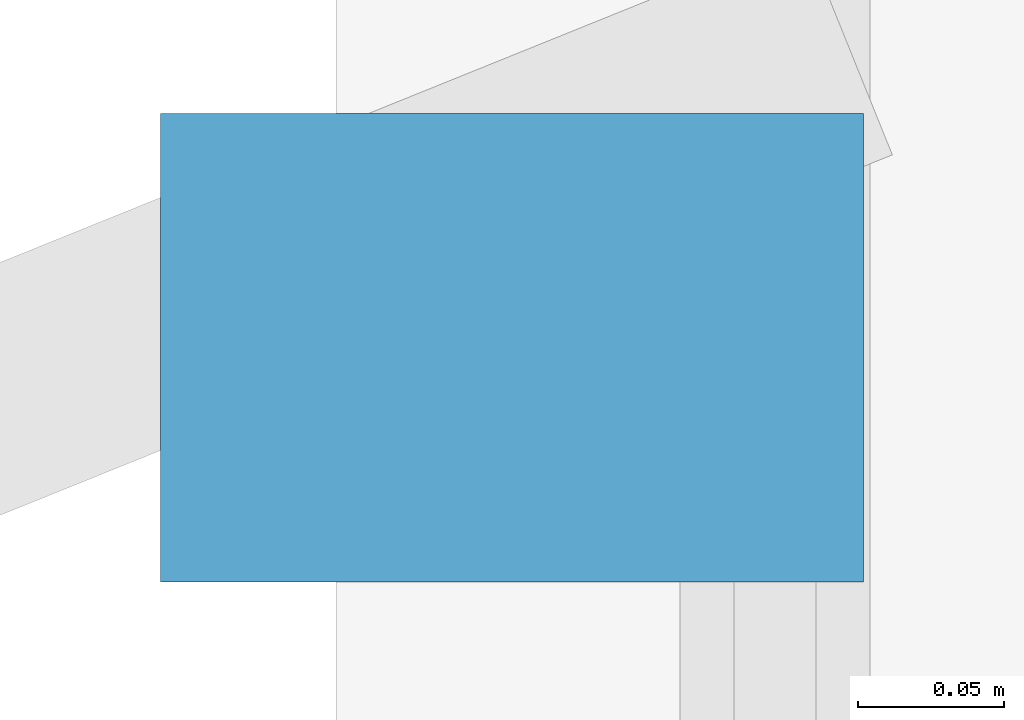
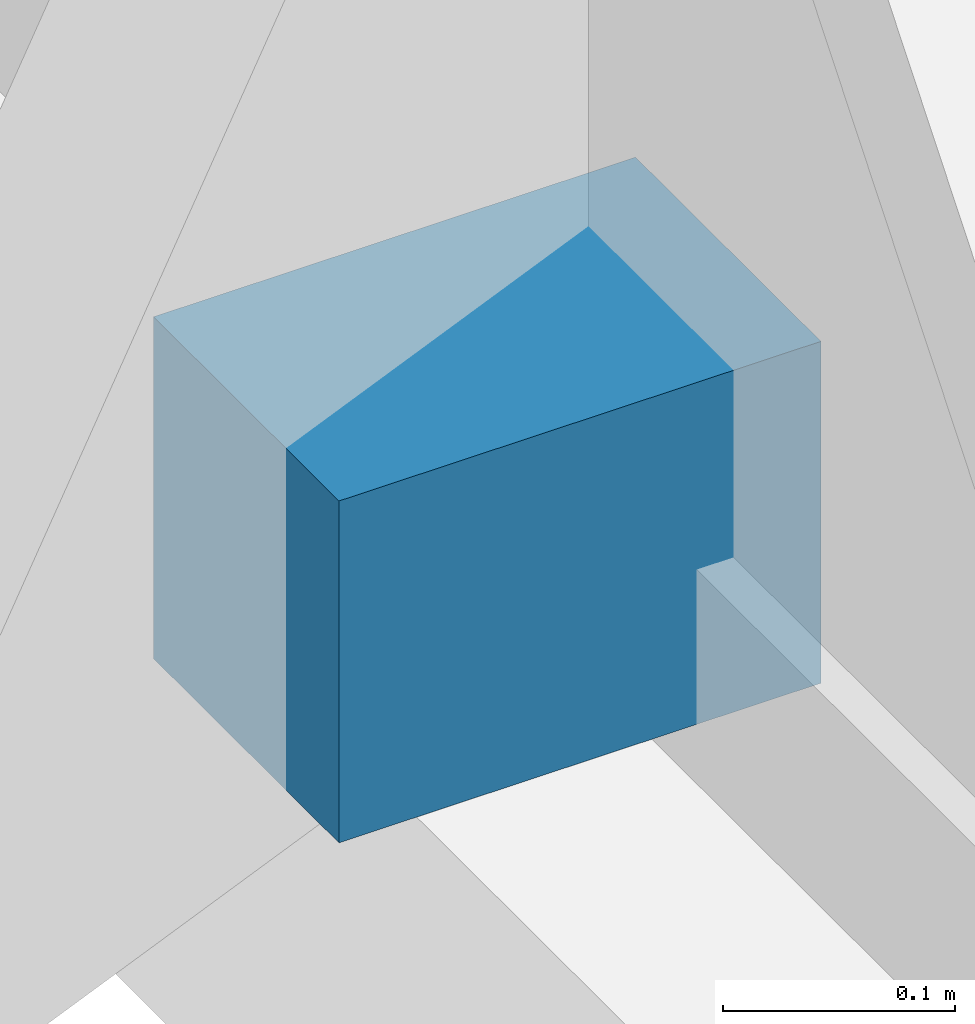
# One storey, part 27 of 29: 1 discrete accessory.
"""IFC4 building model written with IfcOpenShell, lengths in metres."""

from ifc_helpers import new_model, si_unit, direction, frame, origin, origin_2d, place, context, subcontext, project, spatial, rectangle, extrude, material, type_object, element, save


model = new_model("IFC4")

# Units and contexts
model_context = context("Model", 3, precision=1e-05, world=origin(), true_north=direction((0.0, 1.0)))
body_context = subcontext(model_context, "Body", "Model", "MODEL_VIEW")
ifc_project = project(units=[si_unit("LENGTHUNIT", "METRE"), si_unit("AREAUNIT", "SQUARE_METRE"), si_unit("VOLUMEUNIT", "CUBIC_METRE"), si_unit("PLANEANGLEUNIT", "RADIAN"), si_unit("MASSUNIT", "GRAM", prefix="KILO")], contexts=[model_context])

# Site, building, storey
site_placement = place(None, origin())
site = spatial("IfcSite", under=ifc_project, at=site_placement, CompositionType="ELEMENT")
building_placement = place(site_placement, origin())
building = spatial("IfcBuilding", under=site, at=building_placement, Name="Calvorn Quay Hotel", CompositionType="ELEMENT")
storey_placement = place(building_placement, frame((0.0, 0.0, 34.60009765625)))
storey = spatial("IfcBuildingStorey", under=building, at=storey_placement, Name="L07", CompositionType="ELEMENT", Elevation=34.60009765625)

# Discrete accessory
ifc_material = material(Name="Steel Q355B", Category="steel")
discrete_accessory_type = type_object("IfcDiscreteAccessoryType", Name="ACC-FIN-BRACKET", PredefinedType="BRACKET", material=ifc_material)
discrete_accessory_placement = place(storey_placement, frame((0.06005859375, 37.25, 0.02978515625), z_axis=(0.0, 0.0, 1.0), x_axis=(1.0, 0.0, 0.0)))
element("IfcDiscreteAccessory", 1, at=discrete_accessory_placement, inside=storey, type_object=discrete_accessory_type, Name="Fin Anchor Bracket L07-W03", PredefinedType="BRACKET", context=body_context, shape_type="SweptSolid", body=[
    extrude(rectangle(XDim=0.239990234375, YDim=0.159912109375, at=origin_2d()), origin(), (0.0, 0.0, 1.0), 0.179931640625),
])

save(model, "model.ifc")
